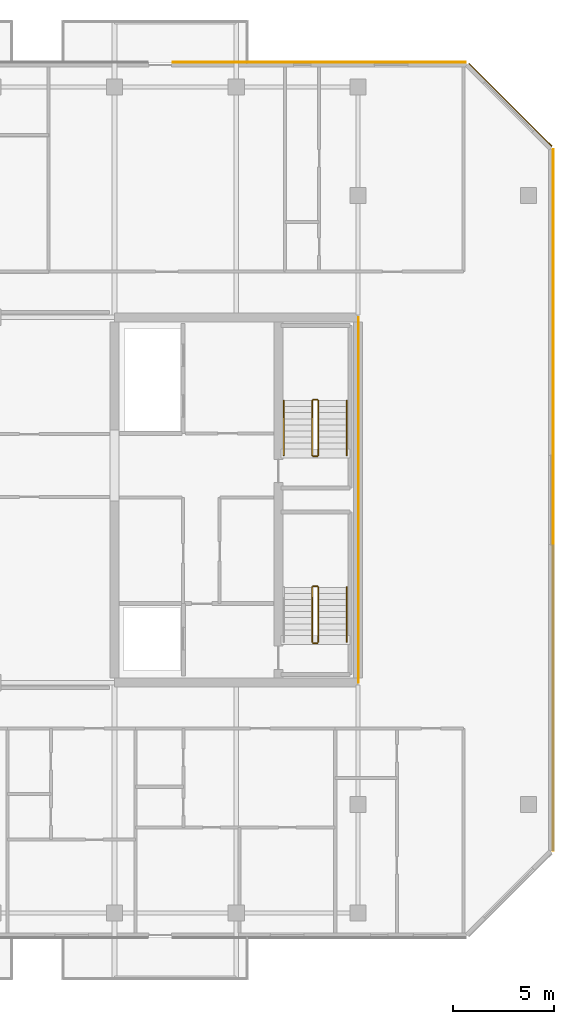
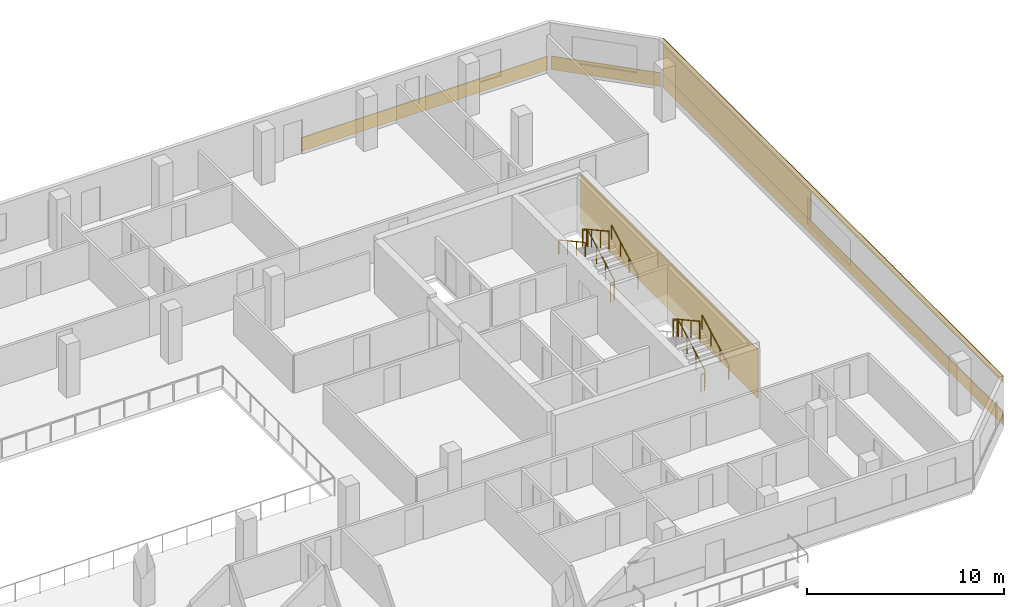
# One storey, part 16 of 16: 11 railings, 6 coverings.
"""IFC4 building model written with IfcOpenShell, lengths in metres."""

import ifcopenshell
import ifcopenshell.guid

model = None  # the IFC model being written
_history = None  # IfcOwnerHistory: only IFC2X3 demands one
_inside = {}  # id of a spatial element -> (the spatial element, [elements in it])
_under = {}  # id of a project, library or spatial element -> (it, [spatial elements below it])
_declared = {}  # id of a project -> (the project, [libraries it declares])
_typed = {}  # id of a type object -> (the type object, [elements of that type])
_made_of = {}  # id of a material, layer set ... -> (it, [elements and type objects made of it])


def new_model(schema):
    """Start an empty IFC model of exactly this schema.

    Asked for "IFC4X3", IfcOpenShell would pick the latest addendum, in which some entities
    have other attributes; the version numbers below select the first issue.
    IFC2X3 requires an IfcOwnerHistory on every rooted entity: one is made here for all.
    """
    global model, _history
    if schema == "IFC4X3":
        model = ifcopenshell.file(schema_version=(4, 3, 0, 0))
    else:
        model = ifcopenshell.file(schema=schema)
    _inside.clear()
    _under.clear()
    _declared.clear()
    _typed.clear()
    _made_of.clear()
    _history = None
    if model.schema == "IFC2X3":
        org = make("IfcOrganization", Name="unknown")
        user = make(
            "IfcPersonAndOrganization",
            ThePerson=make("IfcPerson", FamilyName="unknown"),
            TheOrganization=org,
        )
        app = make(
            "IfcApplication",
            ApplicationDeveloper=org,
            Version="unknown",
            ApplicationFullName="unknown",
            ApplicationIdentifier="unknown",
        )
        _history = make(
            "IfcOwnerHistory",
            OwningUser=user,
            OwningApplication=app,
            ChangeAction="ADDED",
            CreationDate=0,
        )
    return model


def make(cls, **values):
    """One entity of the class cls with the attributes given. An attribute that is None is left unset."""
    return model.create_entity(
        cls, **{name: value for name, value in values.items() if value is not None}
    )


def rooted(cls, **values):
    """An entity with a GlobalId (a new one), such as an element, a storey or a relation."""
    return make(cls, GlobalId=ifcopenshell.guid.new(), OwnerHistory=_history, **values)


def si_unit(unit_type, name, prefix=None):
    """IfcSIUnit, for example si_unit("LENGTHUNIT", "METRE", prefix="MILLI")."""
    return make("IfcSIUnit", UnitType=unit_type, Prefix=prefix, Name=name)


def assignment(units):
    """IfcUnitAssignment: the units of a project."""
    return None if units is None else make("IfcUnitAssignment", Units=units)


def point(xyz):
    """IfcCartesianPoint."""
    return None if xyz is None else make("IfcCartesianPoint", Coordinates=xyz)


def direction(xyz):
    """IfcDirection."""
    return None if xyz is None else make("IfcDirection", DirectionRatios=xyz)


def frame(location, z_axis=None, x_axis=None):
    """IfcAxis2Placement3D, a coordinate frame: its origin and axes. An axis left out is left unset."""
    return make(
        "IfcAxis2Placement3D",
        Location=point(location),
        Axis=direction(z_axis),
        RefDirection=direction(x_axis),
    )


def frame_2d(location, x_axis=None):
    """IfcAxis2Placement2D, a coordinate frame in the plane: its origin and x axis."""
    return make(
        "IfcAxis2Placement2D", Location=point(location), RefDirection=direction(x_axis)
    )


def origin():
    """The frame at (0, 0, 0) with its axes left unset."""
    return frame((0.0, 0.0, 0.0))


def origin_2d():
    """The frame at (0, 0) in the plane with its x axis left unset."""
    return frame_2d((0.0, 0.0))


def place(relative_to, where):
    """IfcLocalPlacement: puts the frame where relative to a parent placement (None: the world)."""
    return make(
        "IfcLocalPlacement", PlacementRelTo=relative_to, RelativePlacement=where
    )


def context(
    kind, dimensions, precision=None, world=None, true_north=None, identifier=None
):
    """IfcGeometricRepresentationContext, for example the 3D "Model" context."""
    return make(
        "IfcGeometricRepresentationContext",
        ContextIdentifier=identifier,
        ContextType=kind,
        CoordinateSpaceDimension=dimensions,
        Precision=precision,
        WorldCoordinateSystem=world,
        TrueNorth=true_north,
    )


def subcontext(parent, identifier, kind, view, scale=None):
    """IfcGeometricRepresentationSubContext, for example "Body" below "Model"."""
    return make(
        "IfcGeometricRepresentationSubContext",
        ContextIdentifier=identifier,
        ContextType=kind,
        ParentContext=parent,
        TargetScale=scale,
        TargetView=view,
    )


def project(units=None, contexts=None):
    """IfcProject with its units and contexts."""
    return rooted(
        "IfcProject",
        Name="project",
        RepresentationContexts=contexts,
        UnitsInContext=assignment(units),
    )


def spatial(cls, under=None, at=None, **own):
    """A site, building, storey or space (cls), placed at a placement, below another one or the project."""
    s = rooted(cls, ObjectPlacement=at, **own)
    if under is not None:
        _under.setdefault(under.id(), (under, []))[1].append(s)
    return s


def profile(cls, at=None, kind="AREA", **sizes):
    """A parametric profile (cls). Its sizes go by their IFC names, for example OverallWidth=200.0."""
    return make(cls, ProfileType=kind, Position=at, **sizes)


def rectangle(**sizes):
    """IfcRectangleProfileDef."""
    return profile("IfcRectangleProfileDef", **sizes)


def extrude(swept, where, along, depth):
    """IfcExtrudedAreaSolid: the profile swept, set in the frame where, extruded along a direction by depth."""
    return make(
        "IfcExtrudedAreaSolid",
        SweptArea=swept,
        Position=where,
        ExtrudedDirection=direction(along),
        Depth=depth,
    )


def shape(context_of_items, identifier, shape_type, items):
    """IfcShapeRepresentation: the items that make up one representation, for example the "Body"."""
    return make(
        "IfcShapeRepresentation",
        ContextOfItems=context_of_items,
        RepresentationIdentifier=identifier,
        RepresentationType=shape_type,
        Items=items,
    )


def material(Name=None, Category=None):
    """IfcMaterial."""
    return make("IfcMaterial", Name=Name, Category=Category)


def layer(
    of_material, thickness, ventilated=None, Name=None, Category=None, Priority=None
):
    """IfcMaterialLayer: one layer of a wall or slab, of a material (None: an air gap)."""
    return make(
        "IfcMaterialLayer",
        Material=of_material,
        LayerThickness=thickness,
        IsVentilated=ventilated,
        Name=Name,
        Category=Category,
        Priority=Priority,
    )


def layer_set(layers, Name=None):
    """IfcMaterialLayerSet."""
    return make("IfcMaterialLayerSet", MaterialLayers=layers, LayerSetName=Name)


def made_of(thing, what):
    """Note that an element or type object is made of a material, layer set ...; save() writes the relation."""
    if what is not None:
        _made_of.setdefault(what.id(), (what, []))[1].append(thing)
    return thing


def type_object(cls, material=None, **own):
    """A type object (cls), such as IfcWallType, which elements share."""
    return made_of(rooted(cls, **own), material)


def element(
    cls,
    number,
    at=None,
    inside=None,
    cuts=None,
    type_object=None,
    material=None,
    context=None,
    identifier="Body",
    shape_type=None,
    held_by="IfcProductDefinitionShape",
    body=None,
    shapes=None,
    **own,
):
    """One element of the class cls, such as IfcWall. Its Tag is "e" and its number.

    at: its placement. inside: the storey or other place that contains it. cuts: it is an
    opening in that element (IfcRelVoidsElement). A single representation is given by context,
    identifier, shape_type and body (its items); several are given by shapes. held_by: the class
    of the entity that holds the representations. save() writes the other relations.
    """
    e = rooted(cls, Tag="e%d" % number, ObjectPlacement=at, **own)
    if body is not None:
        shapes = [shape(context, identifier, shape_type, body)]
    if shapes is not None:
        e.Representation = make(held_by, Representations=shapes)
    if inside is not None:
        _inside.setdefault(inside.id(), (inside, []))[1].append(e)
    if cuts is not None:
        rooted(
            "IfcRelVoidsElement", RelatingBuildingElement=cuts, RelatedOpeningElement=e
        )
    if type_object is not None:
        _typed.setdefault(type_object.id(), (type_object, []))[1].append(e)
    return made_of(e, material)


def aggregate(whole, parts):
    """IfcRelAggregates: a whole, such as a stair, and the parts it consists of."""
    return rooted("IfcRelAggregates", RelatingObject=whole, RelatedObjects=parts)


def save(model, path):
    """Write the relations noted so far, then the file.

    IfcRelAggregates (storeys below a building ...), IfcRelContainedInSpatialStructure (elements
    in a storey), IfcRelDefinesByType, IfcRelAssociatesMaterial and IfcRelDeclares: one each for
    every whole, place, type object, material and project.
    """
    for whole, parts in _under.values():
        aggregate(whole, parts)
    for where, things in _inside.values():
        rooted(
            "IfcRelContainedInSpatialStructure",
            RelatedElements=things,
            RelatingStructure=where,
        )
    for kind, things in _typed.values():
        rooted("IfcRelDefinesByType", RelatedObjects=things, RelatingType=kind)
    for what, things in _made_of.values():
        rooted("IfcRelAssociatesMaterial", RelatedObjects=things, RelatingMaterial=what)
    for by, libraries in _declared.values():
        rooted("IfcRelDeclares", RelatingContext=by, RelatedDefinitions=libraries)
    model.write(path)


model = new_model("IFC4")

# Units and contexts
model_context = context("Model", 3, precision=1e-05, world=origin(), true_north=direction((0.0, 1.0)))
body_context = subcontext(model_context, "Body", "Model", "MODEL_VIEW")
ifc_project = project(units=[si_unit("LENGTHUNIT", "METRE"), si_unit("AREAUNIT", "SQUARE_METRE"), si_unit("VOLUMEUNIT", "CUBIC_METRE"), si_unit("PLANEANGLEUNIT", "RADIAN"), si_unit("MASSUNIT", "GRAM", prefix="KILO")], contexts=[model_context])

# Site, building, storey
site_placement = place(None, origin())
site = spatial("IfcSite", under=ifc_project, at=site_placement, CompositionType="ELEMENT")
building_placement = place(site_placement, origin())
building = spatial("IfcBuilding", under=site, at=building_placement, Name="Tanjung Sevakor Pilgrim Tower", CompositionType="ELEMENT")
storey_placement = place(building_placement, frame((0.0, 0.0, 198.330078125)))
storey = spatial("IfcBuildingStorey", under=building, at=storey_placement, Name="L55", CompositionType="ELEMENT", Elevation=198.330078125)

# Coverings
ifc_material_1 = material(Name="Reconstructed Limestone Cladding", Category="masonry")
ifc_layer = layer(ifc_material_1, 0.044921875)
ifc_layer_set = layer_set([ifc_layer], Name="COV-CLAD-LIMESTONE")
covering_type = type_object("IfcCoveringType", Name="COV-CLAD-LIMESTONE", PredefinedType="CLADDING", material=ifc_layer_set)
covering_1_placement = place(storey_placement, frame((99.62255859375, 33.60009765625, 0.009765625), z_axis=(0.0, 0.0, 1.0), x_axis=(0.0, 1.0, 0.0)))
element("IfcCovering", 1, at=covering_1_placement, inside=storey, type_object=covering_type, Name="L55 Warm Limestone Sill Spandrel EW-L55-MAIN-7-1", PredefinedType="CLADDING", context=body_context, shape_type="SweptSolid", body=[
    extrude(rectangle(XDim=34.52880859375, YDim=0.044921875, at=origin_2d()), origin(), (0.0, 0.0, 1.0), 0.840087890625),
])
covering_2_placement = place(storey_placement, frame((99.62255859375, 33.60009765625, 2.66015625), z_axis=(0.0, 0.0, 1.0), x_axis=(0.0, 1.0, 0.0)))
element("IfcCovering", 2, at=covering_2_placement, inside=storey, type_object=covering_type, Name="L55 Warm Limestone Cornice Spandrel EW-L55-MAIN-7", PredefinedType="CLADDING", context=body_context, shape_type="SweptSolid", body=[
    extrude(rectangle(XDim=34.56884765625, YDim=0.044921875, at=origin_2d()), origin(), (0.0, 0.0, 1.0), 0.409912109375),
])
covering_3_placement = place(storey_placement, frame((99.62255859375, 43.357177734375, 0.849853515625), z_axis=(0.0, 0.0, 1.0), x_axis=(0.0, 1.0, 0.0)))
element("IfcCovering", 3, at=covering_3_placement, inside=storey, type_object=covering_type, Name="L55 Warm Limestone Pier Panel EW-L55-MAIN-7-2", PredefinedType="CLADDING", context=body_context, shape_type="SweptSolid", body=[
    extrude(rectangle(XDim=15.014404296875, YDim=0.044921875, at=origin_2d()), origin(), (0.0, 0.0, 1.0), 1.81005859375),
])
covering_4_placement = place(storey_placement, frame((97.515869140625, 53.06591796875, 0.009765625), z_axis=(0.0, 0.0, 1.0), x_axis=(-0.707106781187, 0.707106781187, 0.0)))
element("IfcCovering", 4, at=covering_4_placement, inside=storey, type_object=covering_type, Name="L55 Warm Limestone Sill Spandrel EW-CHM-L55-MAIN-7-1", PredefinedType="CLADDING", context=body_context, shape_type="SweptSolid", body=[
    extrude(rectangle(XDim=5.7685546875, YDim=0.044921875, at=origin_2d()), origin(), (0.0, 0.0, 1.0), 0.840087890625),
])
covering_5_placement = place(storey_placement, frame((88.087158203125, 55.172607421875, 0.009765625), z_axis=(0.0, 0.0, 1.0), x_axis=(-1.0, 0.0, 0.0)))
element("IfcCovering", 5, at=covering_5_placement, inside=storey, type_object=covering_type, Name="L55 Warm Limestone Sill Spandrel EW-L55-MAIN-9-1", PredefinedType="CLADDING", context=body_context, shape_type="SweptSolid", body=[
    extrude(rectangle(XDim=14.454345703125, YDim=0.044921875, at=origin_2d()), origin(), (0.0, 0.0, 1.0), 0.840087890625),
])
covering_6_placement = place(storey_placement, frame((90.0224609375, 33.60009765625, 0.02001953125), z_axis=(0.0, 0.0, 1.0), x_axis=(1.0, 0.0, 0.0)))
element("IfcCovering", 6, at=covering_6_placement, inside=storey, type_object=covering_type, Name="L55 Expressed Core Warm Limestone Cladding E", PredefinedType="CLADDING", context=body_context, shape_type="SweptSolid", body=[
    extrude(rectangle(XDim=0.044921875, YDim=18.0, at=origin_2d()), origin(), (0.0, 0.0, 1.0), 3.0400390625),
])

# Railings
ifc_material_2 = material(Name="Steel S355J2", Category="steel")
railing_type_1 = type_object("IfcRailingType", Name="RL-STAIR-GUARD", PredefinedType="GUARDRAIL", material=ifc_material_2)
railing_1_placement = place(storey_placement, frame((88.050048828125, 26.60009765625, 0.1650390625)))
element("IfcRailing", 7, at=railing_1_placement, inside=storey, type_object=railing_type_1, Name="L55 TS-E1 stair guard 1", PredefinedType="GUARDRAIL", context=body_context, shape_type="SweptSolid", body=[
    extrude(rectangle(XDim=0.0479, YDim=0.0479), frame((0.0, 0.0, 1.076171875), z_axis=(0.0, 0.876230963923, 0.481891375584), x_axis=(-1.0, 0.0, 0.0)), (0.0, 0.0, 1.0), 3.081298828125),
    extrude(rectangle(XDim=0.042, YDim=0.042), origin(), (0.0, 0.0, 1.0), 1.052001953125),
    extrude(rectangle(XDim=0.042, YDim=0.042), frame((0.0, 0.89990234375, 0.494873046875)), (0.0, 0.0, 1.0), 1.052001953125),
    extrude(rectangle(XDim=0.042, YDim=0.042), frame((0.0, 1.800048828125, 0.989990234375)), (0.0, 0.0, 1.0), 1.052001953125),
    extrude(rectangle(XDim=0.042, YDim=0.042), frame((0.0, 2.699951171875, 1.48486328125)), (0.0, 0.0, 1.0), 1.052001953125),
])
railing_2_placement = place(storey_placement, frame((88.0, 29.35009765625, 1.64990234375)))
element("IfcRailing", 8, at=railing_2_placement, inside=storey, type_object=railing_type_1, Name="L55 TS-E1 stair guard 2", PredefinedType="GUARDRAIL", context=body_context, shape_type="SweptSolid", body=[
    extrude(rectangle(XDim=0.0479, YDim=0.0479), frame((0.0, 0.0, 1.076171875), z_axis=(-1.0, 0.0, 0.0), x_axis=(0.0, -1.0, 0.0)), (0.0, 0.0, 1.0), 0.199951171875),
    extrude(rectangle(XDim=0.042, YDim=0.042), origin(), (0.0, 0.0, 1.0), 1.052001953125),
    extrude(rectangle(XDim=0.042, YDim=0.042), frame((-0.199951171875, 0.0, 0.0)), (0.0, 0.0, 1.0), 1.052001953125),
])
railing_3_placement = place(storey_placement, frame((87.75, 29.300048828125, 1.81494140625)))
element("IfcRailing", 9, at=railing_3_placement, inside=storey, type_object=railing_type_1, Name="L55 TS-E1 stair guard 3", PredefinedType="GUARDRAIL", context=body_context, shape_type="SweptSolid", body=[
    extrude(rectangle(XDim=0.0479, YDim=0.0479), frame((0.0, 0.0, 1.076171875), z_axis=(0.0, -0.876230963923, 0.481891375584), x_axis=(1.0, 0.0, 0.0)), (0.0, 0.0, 1.0), 3.081298828125),
    extrude(rectangle(XDim=0.042, YDim=0.042), origin(), (0.0, 0.0, 1.0), 1.052001953125),
    extrude(rectangle(XDim=0.042, YDim=0.042), frame((0.0, -0.89990234375, 0.494873046875)), (0.0, 0.0, 1.0), 1.052001953125),
    extrude(rectangle(XDim=0.042, YDim=0.042), frame((0.0, -1.800048828125, 0.989990234375)), (0.0, 0.0, 1.0), 1.052001953125),
    extrude(rectangle(XDim=0.042, YDim=0.042), frame((0.0, -2.699951171875, 1.48486328125)), (0.0, 0.0, 1.0), 1.052001953125),
])
railing_4_placement = place(storey_placement, frame((88.0, 26.550048828125, 0.0)))
element("IfcRailing", 10, at=railing_4_placement, inside=storey, type_object=railing_type_1, Name="L55 TS-E1 stair guard 4", PredefinedType="GUARDRAIL", context=body_context, shape_type="SweptSolid", body=[
    extrude(rectangle(XDim=0.0479, YDim=0.0479), frame((0.0, 0.0, 1.076171875), z_axis=(-1.0, 0.0, 0.0), x_axis=(0.0, -1.0, 0.0)), (0.0, 0.0, 1.0), 0.199951171875),
    extrude(rectangle(XDim=0.042, YDim=0.042), origin(), (0.0, 0.0, 1.0), 1.052001953125),
    extrude(rectangle(XDim=0.042, YDim=0.042), frame((-0.199951171875, 0.0, 0.0)), (0.0, 0.0, 1.0), 1.052001953125),
])
railing_5_placement = place(storey_placement, frame((88.050048828125, 35.800048828125, 0.1650390625)))
element("IfcRailing", 11, at=railing_5_placement, inside=storey, type_object=railing_type_1, Name="L55 TS-E2 stair guard 1", PredefinedType="GUARDRAIL", context=body_context, shape_type="SweptSolid", body=[
    extrude(rectangle(XDim=0.0479, YDim=0.0479), frame((0.0, 0.0, 1.076171875), z_axis=(0.0, 0.876230963923, 0.481891375584), x_axis=(-1.0, 0.0, 0.0)), (0.0, 0.0, 1.0), 3.081298828125),
    extrude(rectangle(XDim=0.042, YDim=0.042), origin(), (0.0, 0.0, 1.0), 1.052001953125),
    extrude(rectangle(XDim=0.042, YDim=0.042), frame((0.0, 0.89990234375, 0.494873046875)), (0.0, 0.0, 1.0), 1.052001953125),
    extrude(rectangle(XDim=0.042, YDim=0.042), frame((0.0, 1.800048828125, 0.989990234375)), (0.0, 0.0, 1.0), 1.052001953125),
    extrude(rectangle(XDim=0.042, YDim=0.042), frame((0.0, 2.699951171875, 1.48486328125)), (0.0, 0.0, 1.0), 1.052001953125),
])
railing_6_placement = place(storey_placement, frame((88.0, 38.550048828125, 1.64990234375)))
element("IfcRailing", 12, at=railing_6_placement, inside=storey, type_object=railing_type_1, Name="L55 TS-E2 stair guard 2", PredefinedType="GUARDRAIL", context=body_context, shape_type="SweptSolid", body=[
    extrude(rectangle(XDim=0.0479, YDim=0.0479), frame((0.0, 0.0, 1.076171875), z_axis=(-1.0, 0.0, 0.0), x_axis=(0.0, -1.0, 0.0)), (0.0, 0.0, 1.0), 0.199951171875),
    extrude(rectangle(XDim=0.042, YDim=0.042), origin(), (0.0, 0.0, 1.0), 1.052001953125),
    extrude(rectangle(XDim=0.042, YDim=0.042), frame((-0.199951171875, 0.0, 0.0)), (0.0, 0.0, 1.0), 1.052001953125),
])
railing_7_placement = place(storey_placement, frame((87.75, 38.5, 1.81494140625)))
element("IfcRailing", 13, at=railing_7_placement, inside=storey, type_object=railing_type_1, Name="L55 TS-E2 stair guard 3", PredefinedType="GUARDRAIL", context=body_context, shape_type="SweptSolid", body=[
    extrude(rectangle(XDim=0.0479, YDim=0.0479), frame((0.0, 0.0, 1.076171875), z_axis=(0.0, -0.876230963923, 0.481891375584), x_axis=(1.0, 0.0, 0.0)), (0.0, 0.0, 1.0), 3.081298828125),
    extrude(rectangle(XDim=0.042, YDim=0.042), origin(), (0.0, 0.0, 1.0), 1.052001953125),
    extrude(rectangle(XDim=0.042, YDim=0.042), frame((0.0, -0.89990234375, 0.494873046875)), (0.0, 0.0, 1.0), 1.052001953125),
    extrude(rectangle(XDim=0.042, YDim=0.042), frame((0.0, -1.800048828125, 0.989990234375)), (0.0, 0.0, 1.0), 1.052001953125),
    extrude(rectangle(XDim=0.042, YDim=0.042), frame((0.0, -2.699951171875, 1.48486328125)), (0.0, 0.0, 1.0), 1.052001953125),
])
railing_8_placement = place(storey_placement, frame((88.0, 35.75, 0.0)))
element("IfcRailing", 14, at=railing_8_placement, inside=storey, type_object=railing_type_1, Name="L55 TS-E2 stair guard 4", PredefinedType="GUARDRAIL", context=body_context, shape_type="SweptSolid", body=[
    extrude(rectangle(XDim=0.0479, YDim=0.0479), frame((0.0, 0.0, 1.076171875), z_axis=(-1.0, 0.0, 0.0), x_axis=(0.0, -1.0, 0.0)), (0.0, 0.0, 1.0), 0.199951171875),
    extrude(rectangle(XDim=0.042, YDim=0.042), origin(), (0.0, 0.0, 1.0), 1.052001953125),
    extrude(rectangle(XDim=0.042, YDim=0.042), frame((-0.199951171875, 0.0, 0.0)), (0.0, 0.0, 1.0), 1.052001953125),
])
ifc_material_3 = material(Name="Steel S355J2", Category="steel")
railing_type_2 = type_object("IfcRailingType", Name="RL-STAIR-HAND", PredefinedType="HANDRAIL", material=ifc_material_3)
for number, where, name in (
    (15, (89.449951171875, 26.60009765625, 0.1650390625), "L55 TS-E1 stair handrail 1"),
    (16, (89.449951171875, 35.800048828125, 0.1650390625), "L55 TS-E2 stair handrail 1"),
):
    element("IfcRailing", number, at=place(storey_placement, frame(where)), inside=storey, type_object=railing_type_2, Name=name, PredefinedType="HANDRAIL", context=body_context, shape_type="SweptSolid", body=[
        extrude(rectangle(XDim=0.0479, YDim=0.0479), frame((0.0, 0.0, 0.8759765625), z_axis=(0.0, 0.876230963923, 0.481891375584), x_axis=(-1.0, 0.0, 0.0)), (0.0, 0.0, 1.0), 3.081298828125),
        extrude(rectangle(XDim=0.042, YDim=0.042), origin(), (0.0, 0.0, 1.0), 0.851806640625),
        extrude(rectangle(XDim=0.042, YDim=0.042), frame((0.0, 0.89990234375, 0.494873046875)), (0.0, 0.0, 1.0), 0.851806640625),
        extrude(rectangle(XDim=0.042, YDim=0.042), frame((0.0, 1.800048828125, 0.989990234375)), (0.0, 0.0, 1.0), 0.851806640625),
        extrude(rectangle(XDim=0.042, YDim=0.042), frame((0.0, 2.699951171875, 1.48486328125)), (0.0, 0.0, 1.0), 0.851806640625),
    ])
railing_9_placement = place(storey_placement, frame((86.35009765625, 38.5, 1.81494140625)))
element("IfcRailing", 17, at=railing_9_placement, inside=storey, type_object=railing_type_2, Name="L55 TS-E2 stair handrail 2", PredefinedType="HANDRAIL", context=body_context, shape_type="SweptSolid", body=[
    extrude(rectangle(XDim=0.0479, YDim=0.0479), frame((0.0, 0.0, 0.8759765625), z_axis=(0.0, -0.876230963923, 0.481891375584), x_axis=(1.0, 0.0, 0.0)), (0.0, 0.0, 1.0), 3.081298828125),
    extrude(rectangle(XDim=0.042, YDim=0.042), origin(), (0.0, 0.0, 1.0), 0.851806640625),
    extrude(rectangle(XDim=0.042, YDim=0.042), frame((0.0, -0.89990234375, 0.494873046875)), (0.0, 0.0, 1.0), 0.851806640625),
    extrude(rectangle(XDim=0.042, YDim=0.042), frame((0.0, -1.800048828125, 0.989990234375)), (0.0, 0.0, 1.0), 0.851806640625),
    extrude(rectangle(XDim=0.042, YDim=0.042), frame((0.0, -2.699951171875, 1.48486328125)), (0.0, 0.0, 1.0), 0.851806640625),
])

save(model, "model.ifc")
